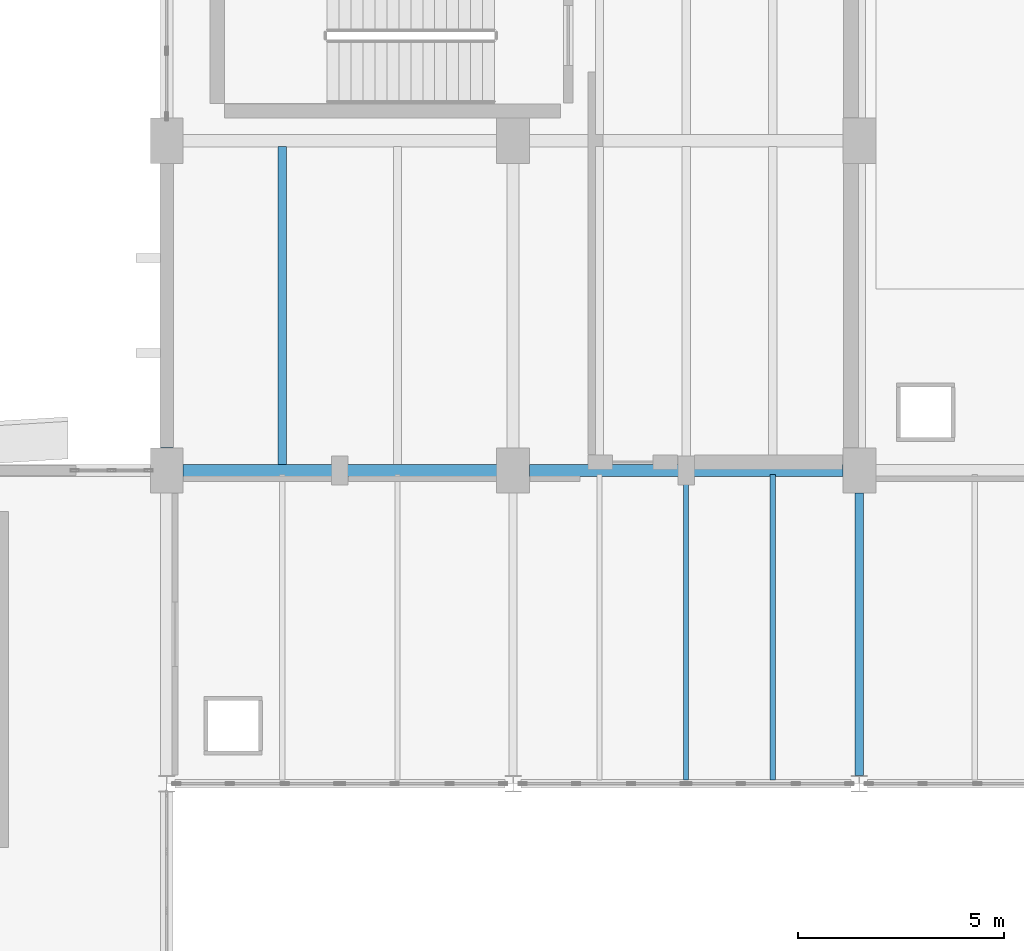
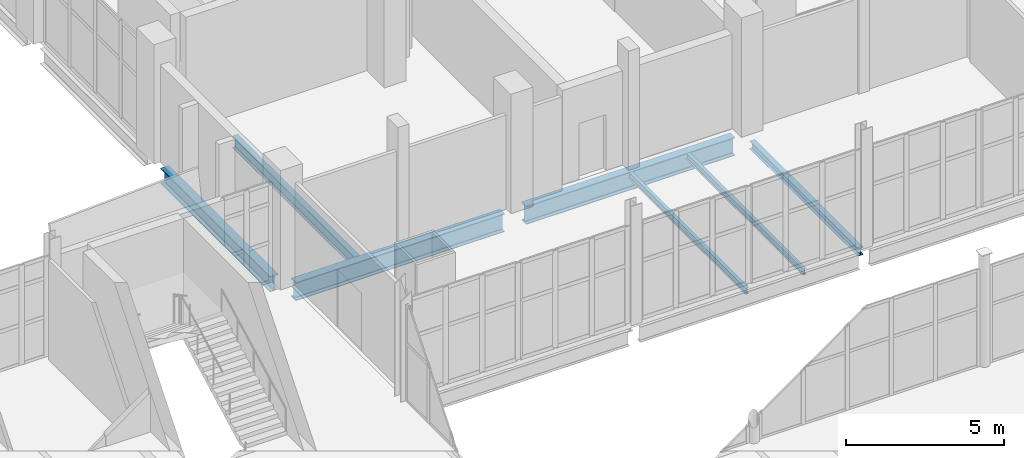
# One storey, part 73 of 172: 7 beams.
"""IFC4 building model written with IfcOpenShell, lengths in metres."""

import ifcopenshell
import ifcopenshell.guid

model = None  # the IFC model being written
_history = None  # IfcOwnerHistory: only IFC2X3 demands one
_inside = {}  # id of a spatial element -> (the spatial element, [elements in it])
_under = {}  # id of a project, library or spatial element -> (it, [spatial elements below it])
_declared = {}  # id of a project -> (the project, [libraries it declares])
_typed = {}  # id of a type object -> (the type object, [elements of that type])
_made_of = {}  # id of a material, layer set ... -> (it, [elements and type objects made of it])


def new_model(schema):
    """Start an empty IFC model of exactly this schema.

    Asked for "IFC4X3", IfcOpenShell would pick the latest addendum, in which some entities
    have other attributes; the version numbers below select the first issue.
    IFC2X3 requires an IfcOwnerHistory on every rooted entity: one is made here for all.
    """
    global model, _history
    if schema == "IFC4X3":
        model = ifcopenshell.file(schema_version=(4, 3, 0, 0))
    else:
        model = ifcopenshell.file(schema=schema)
    _inside.clear()
    _under.clear()
    _declared.clear()
    _typed.clear()
    _made_of.clear()
    _history = None
    if model.schema == "IFC2X3":
        org = make("IfcOrganization", Name="unknown")
        user = make(
            "IfcPersonAndOrganization",
            ThePerson=make("IfcPerson", FamilyName="unknown"),
            TheOrganization=org,
        )
        app = make(
            "IfcApplication",
            ApplicationDeveloper=org,
            Version="unknown",
            ApplicationFullName="unknown",
            ApplicationIdentifier="unknown",
        )
        _history = make(
            "IfcOwnerHistory",
            OwningUser=user,
            OwningApplication=app,
            ChangeAction="ADDED",
            CreationDate=0,
        )
    return model


def make(cls, **values):
    """One entity of the class cls with the attributes given. An attribute that is None is left unset."""
    return model.create_entity(
        cls, **{name: value for name, value in values.items() if value is not None}
    )


def rooted(cls, **values):
    """An entity with a GlobalId (a new one), such as an element, a storey or a relation."""
    return make(cls, GlobalId=ifcopenshell.guid.new(), OwnerHistory=_history, **values)


def si_unit(unit_type, name, prefix=None):
    """IfcSIUnit, for example si_unit("LENGTHUNIT", "METRE", prefix="MILLI")."""
    return make("IfcSIUnit", UnitType=unit_type, Prefix=prefix, Name=name)


def assignment(units):
    """IfcUnitAssignment: the units of a project."""
    return None if units is None else make("IfcUnitAssignment", Units=units)


def point(xyz):
    """IfcCartesianPoint."""
    return None if xyz is None else make("IfcCartesianPoint", Coordinates=xyz)


def direction(xyz):
    """IfcDirection."""
    return None if xyz is None else make("IfcDirection", DirectionRatios=xyz)


def frame(location, z_axis=None, x_axis=None):
    """IfcAxis2Placement3D, a coordinate frame: its origin and axes. An axis left out is left unset."""
    return make(
        "IfcAxis2Placement3D",
        Location=point(location),
        Axis=direction(z_axis),
        RefDirection=direction(x_axis),
    )


def frame_2d(location, x_axis=None):
    """IfcAxis2Placement2D, a coordinate frame in the plane: its origin and x axis."""
    return make(
        "IfcAxis2Placement2D", Location=point(location), RefDirection=direction(x_axis)
    )


def origin():
    """The frame at (0, 0, 0) with its axes left unset."""
    return frame((0.0, 0.0, 0.0))


def origin_2d():
    """The frame at (0, 0) in the plane with its x axis left unset."""
    return frame_2d((0.0, 0.0))


def place(relative_to, where):
    """IfcLocalPlacement: puts the frame where relative to a parent placement (None: the world)."""
    return make(
        "IfcLocalPlacement", PlacementRelTo=relative_to, RelativePlacement=where
    )


def context(
    kind, dimensions, precision=None, world=None, true_north=None, identifier=None
):
    """IfcGeometricRepresentationContext, for example the 3D "Model" context."""
    return make(
        "IfcGeometricRepresentationContext",
        ContextIdentifier=identifier,
        ContextType=kind,
        CoordinateSpaceDimension=dimensions,
        Precision=precision,
        WorldCoordinateSystem=world,
        TrueNorth=true_north,
    )


def subcontext(parent, identifier, kind, view, scale=None):
    """IfcGeometricRepresentationSubContext, for example "Body" below "Model"."""
    return make(
        "IfcGeometricRepresentationSubContext",
        ContextIdentifier=identifier,
        ContextType=kind,
        ParentContext=parent,
        TargetScale=scale,
        TargetView=view,
    )


def project(units=None, contexts=None):
    """IfcProject with its units and contexts."""
    return rooted(
        "IfcProject",
        Name="project",
        RepresentationContexts=contexts,
        UnitsInContext=assignment(units),
    )


def spatial(cls, under=None, at=None, **own):
    """A site, building, storey or space (cls), placed at a placement, below another one or the project."""
    s = rooted(cls, ObjectPlacement=at, **own)
    if under is not None:
        _under.setdefault(under.id(), (under, []))[1].append(s)
    return s


def profile(cls, at=None, kind="AREA", **sizes):
    """A parametric profile (cls). Its sizes go by their IFC names, for example OverallWidth=200.0."""
    return make(cls, ProfileType=kind, Position=at, **sizes)


def i_section(**sizes):
    """IfcIShapeProfileDef."""
    return profile("IfcIShapeProfileDef", **sizes)


def extrude(swept, where, along, depth):
    """IfcExtrudedAreaSolid: the profile swept, set in the frame where, extruded along a direction by depth."""
    return make(
        "IfcExtrudedAreaSolid",
        SweptArea=swept,
        Position=where,
        ExtrudedDirection=direction(along),
        Depth=depth,
    )


def shape(context_of_items, identifier, shape_type, items):
    """IfcShapeRepresentation: the items that make up one representation, for example the "Body"."""
    return make(
        "IfcShapeRepresentation",
        ContextOfItems=context_of_items,
        RepresentationIdentifier=identifier,
        RepresentationType=shape_type,
        Items=items,
    )


def material(Name=None, Category=None):
    """IfcMaterial."""
    return make("IfcMaterial", Name=Name, Category=Category)


def material_profile(
    of_material, cross_section, Name=None, Category=None, Priority=None
):
    """IfcMaterialProfile: a cross section and its material."""
    return make(
        "IfcMaterialProfile",
        Name=Name,
        Material=of_material,
        Profile=cross_section,
        Priority=Priority,
        Category=Category,
    )


def profile_set(profiles, Name=None, composite=None):
    """IfcMaterialProfileSet."""
    return make(
        "IfcMaterialProfileSet",
        Name=Name,
        MaterialProfiles=profiles,
        CompositeProfile=composite,
    )


def made_of(thing, what):
    """Note that an element or type object is made of a material, layer set ...; save() writes the relation."""
    if what is not None:
        _made_of.setdefault(what.id(), (what, []))[1].append(thing)
    return thing


def type_object(cls, material=None, **own):
    """A type object (cls), such as IfcWallType, which elements share."""
    return made_of(rooted(cls, **own), material)


def element(
    cls,
    number,
    at=None,
    inside=None,
    cuts=None,
    type_object=None,
    material=None,
    context=None,
    identifier="Body",
    shape_type=None,
    held_by="IfcProductDefinitionShape",
    body=None,
    shapes=None,
    **own,
):
    """One element of the class cls, such as IfcWall. Its Tag is "e" and its number.

    at: its placement. inside: the storey or other place that contains it. cuts: it is an
    opening in that element (IfcRelVoidsElement). A single representation is given by context,
    identifier, shape_type and body (its items); several are given by shapes. held_by: the class
    of the entity that holds the representations. save() writes the other relations.
    """
    e = rooted(cls, Tag="e%d" % number, ObjectPlacement=at, **own)
    if body is not None:
        shapes = [shape(context, identifier, shape_type, body)]
    if shapes is not None:
        e.Representation = make(held_by, Representations=shapes)
    if inside is not None:
        _inside.setdefault(inside.id(), (inside, []))[1].append(e)
    if cuts is not None:
        rooted(
            "IfcRelVoidsElement", RelatingBuildingElement=cuts, RelatedOpeningElement=e
        )
    if type_object is not None:
        _typed.setdefault(type_object.id(), (type_object, []))[1].append(e)
    return made_of(e, material)


def aggregate(whole, parts):
    """IfcRelAggregates: a whole, such as a stair, and the parts it consists of."""
    return rooted("IfcRelAggregates", RelatingObject=whole, RelatedObjects=parts)


def save(model, path):
    """Write the relations noted so far, then the file.

    IfcRelAggregates (storeys below a building ...), IfcRelContainedInSpatialStructure (elements
    in a storey), IfcRelDefinesByType, IfcRelAssociatesMaterial and IfcRelDeclares: one each for
    every whole, place, type object, material and project.
    """
    for whole, parts in _under.values():
        aggregate(whole, parts)
    for where, things in _inside.values():
        rooted(
            "IfcRelContainedInSpatialStructure",
            RelatedElements=things,
            RelatingStructure=where,
        )
    for kind, things in _typed.values():
        rooted("IfcRelDefinesByType", RelatedObjects=things, RelatingType=kind)
    for what, things in _made_of.values():
        rooted("IfcRelAssociatesMaterial", RelatedObjects=things, RelatingMaterial=what)
    for by, libraries in _declared.values():
        rooted("IfcRelDeclares", RelatingContext=by, RelatedDefinitions=libraries)
    model.write(path)


model = new_model("IFC4")

# Units and contexts
model_context = context("Model", 3, precision=1e-05, world=origin(), true_north=direction((0.0, 1.0)))
body_context = subcontext(model_context, "Body", "Model", "MODEL_VIEW")
ifc_project = project(units=[si_unit("LENGTHUNIT", "METRE"), si_unit("AREAUNIT", "SQUARE_METRE"), si_unit("VOLUMEUNIT", "CUBIC_METRE"), si_unit("PLANEANGLEUNIT", "RADIAN"), si_unit("MASSUNIT", "GRAM", prefix="KILO")], contexts=[model_context])

# Site, building, storey
site_placement = place(None, origin())
site = spatial("IfcSite", under=ifc_project, at=site_placement, CompositionType="ELEMENT")
building_placement = place(site_placement, origin())
building = spatial("IfcBuilding", under=site, at=building_placement, Name="Shengluoqiao Park Theatre", CompositionType="ELEMENT")
storey_placement = place(building_placement, frame((0.0, 0.0, 5.39990234375)))
storey = spatial("IfcBuildingStorey", under=building, at=storey_placement, Name="L01", CompositionType="ELEMENT", Elevation=5.39990234375)

# Beams
ifc_material_1 = material(Name="Steel Q355", Category="steel")
ifc_material_profile_1 = material_profile(ifc_material_1, i_section(OverallWidth=0.199951171875, OverallDepth=0.2939453125, WebThickness=0.008056640625, FlangeThickness=0.011962890625, FilletRadius=0.01611328125, at=origin_2d()), Name="HM 294x200x8x12")
ifc_profile_set_1 = profile_set([ifc_material_profile_1], Name="Steel Q355")
beam_type_1 = type_object("IfcBeamType", Name="STR-BM-G-HM294", PredefinedType="BEAM", material=ifc_profile_set_1)
beam_1_placement = place(storey_placement, frame((61.199951171875, 68.60107421875, -0.386962890625), z_axis=(0.0, 1.0, 0.0), x_axis=(-1.0, 0.0, 0.0)))
element("IfcBeam", 1, at=beam_1_placement, inside=storey, type_object=beam_type_1, Name="L01 Transverse Girder 00503", PredefinedType="BEAM", context=body_context, shape_type="SweptSolid", body=[
    extrude(i_section(OverallWidth=0.199951171875, OverallDepth=0.2939453125, WebThickness=0.008056640625, FlangeThickness=0.011962890625, FilletRadius=0.01611328125, at=origin_2d()), origin(), (0.0, 0.0, 1.0), 6.85498046875),
])
ifc_material_profile_2 = material_profile(ifc_material_1, i_section(OverallWidth=0.300048828125, OverallDepth=0.587890625, WebThickness=0.011962890625, FlangeThickness=0.02001953125, FilletRadius=0.02392578125, at=origin_2d()), Name="HM 588x300x12x20")
ifc_profile_set_2 = profile_set([ifc_material_profile_2], Name="Steel Q355")
beam_type_2 = type_object("IfcBeamType", Name="STR-BM-G-HM588", PredefinedType="BEAM", material=ifc_profile_set_2)
beam_2_placement = place(storey_placement, frame((44.39990234375, 76.5439453125, -0.533935546875), z_axis=(0.0, 1.0, 0.0), x_axis=(-1.0, 0.0, 0.0)))
element("IfcBeam", 2, at=beam_2_placement, inside=storey, type_object=beam_type_2, Name="L01 Transverse Girder 00282", PredefinedType="BEAM", context=body_context, shape_type="SweptSolid", body=[
    extrude(i_section(OverallWidth=0.300048828125, OverallDepth=0.587890625, WebThickness=0.011962890625, FlangeThickness=0.02001953125, FilletRadius=0.02392578125, at=origin_2d()), origin(), (0.0, 0.0, 1.0), 6.912109375),
])
ifc_material_2 = material(Name="Steel Q390", Category="steel")
ifc_material_profile_3 = material_profile(ifc_material_2, i_section(OverallWidth=0.300048828125, OverallDepth=0.699951171875, WebThickness=0.012939453125, FlangeThickness=0.02392578125, FilletRadius=0.02392578125, at=origin_2d()), Name="HN 700x300x13x24")
ifc_profile_set_3 = profile_set([ifc_material_profile_3], Name="Steel Q390")
beam_type_3 = type_object("IfcBeamType", Name="STR-BM-G-HN700", PredefinedType="BEAM", material=ifc_profile_set_3)
beam_3_placement = place(storey_placement, frame((44.7939453125, 76.0, -0.58984375), z_axis=(1.0, 0.0, 0.0), x_axis=(0.0, 1.0, 0.0)))
element("IfcBeam", 3, at=beam_3_placement, inside=storey, type_object=beam_type_3, Name="L01 Primary Girder 00271", PredefinedType="BEAM", context=body_context, shape_type="SweptSolid", body=[
    extrude(i_section(OverallWidth=0.300048828125, OverallDepth=0.699951171875, WebThickness=0.012939453125, FlangeThickness=0.02392578125, FilletRadius=0.02392578125, at=origin_2d()), origin(), (0.0, 0.0, 1.0), 7.612060546875),
])
beam_4_placement = place(storey_placement, frame((53.194091796875, 76.0, -0.58984375), z_axis=(1.0, 0.0, 0.0), x_axis=(0.0, 1.0, 0.0)))
element("IfcBeam", 4, at=beam_4_placement, inside=storey, type_object=beam_type_3, Name="L01 Primary Girder 00272", PredefinedType="BEAM", context=body_context, shape_type="SweptSolid", body=[
    extrude(i_section(OverallWidth=0.300048828125, OverallDepth=0.699951171875, WebThickness=0.012939453125, FlangeThickness=0.02392578125, FilletRadius=0.02392578125, at=origin_2d()), origin(), (0.0, 0.0, 1.0), 7.61181640625),
])
ifc_material_profile_4 = material_profile(ifc_material_1, i_section(OverallWidth=0.125, OverallDepth=0.25, WebThickness=0.006103515625, FlangeThickness=0.009033203125, FilletRadius=0.010009765625, at=origin_2d()), Name="HN 250x125x6x9")
ifc_profile_set_4 = profile_set([ifc_material_profile_4], Name="Steel Q355")
beam_type_4 = type_object("IfcBeamType", Name="STR-BM-J-HN250", PredefinedType="JOIST", material=ifc_profile_set_4)
for number, where, z_axis, x_axis, name in (
    (5, (57.0, 68.494384765625, -0.364990234375), (0.0, 1.0, 0.0), (-1.0, 0.0, 0.0), "L01 Composite Joist 00509"),
    (6, (59.10009765625, 68.494384765625, -0.364990234375), (0.0, 1.0, 0.0), (-1.0, 0.0, 0.0), "L01 Composite Joist 00510"),
):
    element("IfcBeam", number, at=place(storey_placement, frame(where, z_axis=z_axis, x_axis=x_axis)), inside=storey, type_object=beam_type_4, Name=name, PredefinedType="JOIST", context=body_context, shape_type="SweptSolid", body=[
        extrude(i_section(OverallWidth=0.125, OverallDepth=0.25, WebThickness=0.006103515625, FlangeThickness=0.009033203125, FilletRadius=0.010009765625, at=origin_2d()), origin(), (0.0, 0.0, 1.0), 7.4111328125),
    ])
ifc_material_profile_5 = material_profile(ifc_material_1, i_section(OverallWidth=0.199951171875, OverallDepth=0.449951171875, WebThickness=0.009033203125, FlangeThickness=0.013916015625, FilletRadius=0.01611328125, at=origin_2d()), Name="HN 450x200x9x14")
ifc_profile_set_5 = profile_set([ifc_material_profile_5], Name="Steel Q355")
beam_type_5 = type_object("IfcBeamType", Name="STR-BM-J-HN450", PredefinedType="JOIST", material=ifc_profile_set_5)
beam_5_placement = place(storey_placement, frame((47.199951171875, 76.14501953125, -0.46484375), z_axis=(0.0, 1.0, 0.0), x_axis=(-1.0, 0.0, 0.0)))
element("IfcBeam", 7, at=beam_5_placement, inside=storey, type_object=beam_type_5, Name="L01 Composite Joist 00295", PredefinedType="JOIST", context=body_context, shape_type="SweptSolid", body=[
    extrude(i_section(OverallWidth=0.199951171875, OverallDepth=0.449951171875, WebThickness=0.009033203125, FlangeThickness=0.013916015625, FilletRadius=0.01611328125, at=origin_2d()), origin(), (0.0, 0.0, 1.0), 7.7099609375),
])

save(model, "model.ifc")
